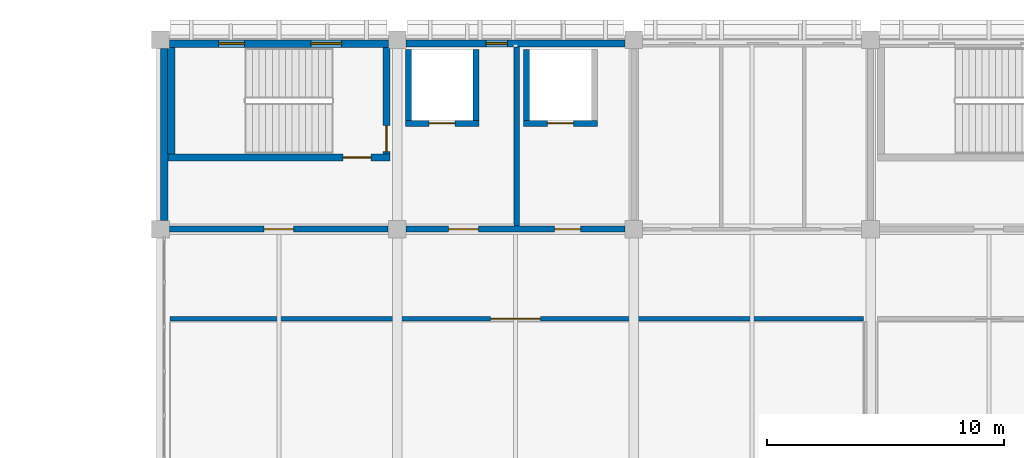
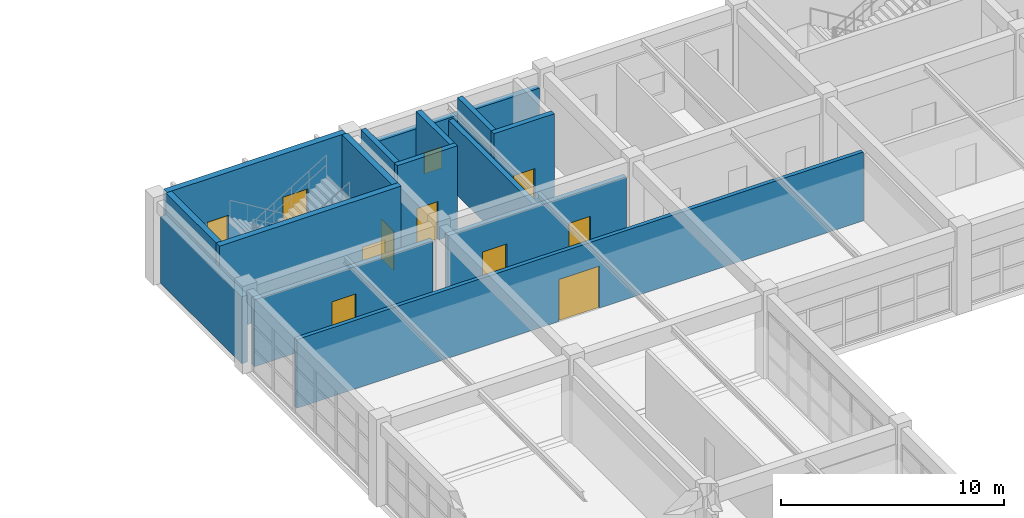
# One storey, part 93 of 109: 15 walls, 8 doors, 3 windows, 11 openings.
"""IFC4 building model written with IfcOpenShell, lengths in metres."""

from ifc_helpers import new_model, si_unit, direction, frame, frame_2d, origin, place, context, subcontext, project, spatial, rectangle, extrude, material, layer, layer_set, type_object, element, fill, save


model = new_model("IFC4")

# Units and contexts
model_context = context("Model", 3, precision=1e-05, world=origin(), true_north=direction((0.0, 1.0)))
body_context = subcontext(model_context, "Body", "Model", "MODEL_VIEW")
ifc_project = project(units=[si_unit("LENGTHUNIT", "METRE"), si_unit("AREAUNIT", "SQUARE_METRE"), si_unit("VOLUMEUNIT", "CUBIC_METRE"), si_unit("PLANEANGLEUNIT", "RADIAN"), si_unit("MASSUNIT", "GRAM", prefix="KILO")], contexts=[model_context])

# Site, building, storey
site_placement = place(None, origin())
site = spatial("IfcSite", under=ifc_project, at=site_placement, CompositionType="ELEMENT")
building_placement = place(site_placement, origin())
building = spatial("IfcBuilding", under=site, at=building_placement, Name="Kivolera Central Railway Station", CompositionType="ELEMENT")
storey_placement = place(building_placement, frame((0.0, 0.0, 9.60009765625)))
storey = spatial("IfcBuildingStorey", under=building, at=storey_placement, Name="L02", CompositionType="ELEMENT", Elevation=9.60009765625)

# Wall, opening, door
ifc_material_1 = material(Name="Swahili coral limestone", Category="masonry")
ifc_layer_1 = layer(ifc_material_1, 0.199951171875, Name="Swahili coral limestone")
ifc_layer_set_1 = layer_set([ifc_layer_1], Name="Swahili coral limestone")
wall_type_1 = type_object("IfcWallType", Name="WL-COR-200", PredefinedType="PARTITIONING", material=ifc_layer_set_1)
wall_1_placement = place(storey_placement, frame((118.39990234375, 122.219970703125, 0.0), z_axis=(0.0, 0.0, 1.0), x_axis=(1.0, 0.0, 0.0)))
wall_1 = element("IfcWall", 1, at=wall_1_placement, inside=storey, type_object=wall_type_1, Name="L02 Harbour Breeze Station Dining Hall Corridor Wall", PredefinedType="PARTITIONING", context=body_context, shape_type="SweptSolid", body=[
    extrude(rectangle(XDim=29.300048828125, YDim=0.199951171875, at=frame_2d((14.64990234375, 0.0))), origin(), (0.0, 0.0, 1.0), 3.7578125),
])
opening_1_placement = place(wall_1_placement, frame((13.550048828125, 0.0, 0.0)))
opening_1 = element("IfcOpeningElement", 2, at=opening_1_placement, cuts=wall_1, Name="Opening D-DB-07", PredefinedType="OPENING", context=body_context, shape_type="SweptSolid", body=[
    extrude(rectangle(XDim=2.10009765625, YDim=2.300048828125, at=frame_2d((1.050048828125, 1.14990234375))), frame((0.0, 0.10986328125, 0.0), z_axis=(0.0, -1.0, 0.0), x_axis=(1.0, 0.0, 0.0)), (0.0, 0.0, 1.0), 0.219970703125),
])
ifc_material_2 = material(Name="Anodised aluminium", Category="aluminium")
door_type_1 = type_object("IfcDoorType", Name="DR-D-DB-07", OperationType="NOTDEFINED", PredefinedType="DOOR", material=ifc_material_2)
door_1_placement = place(opening_1_placement, origin())
door_1 = element("IfcDoor", 3, at=door_1_placement, inside=storey, type_object=door_type_1, Name="L02 Harbour Breeze Station Dining Hall Door", OperationType="DOUBLE_DOOR_SINGLE_SWING", OverallHeight=2.300048828125, OverallWidth=2.10009765625, PredefinedType="DOOR", context=body_context, shape_type="SweptSolid", body=[
    extrude(rectangle(XDim=2.10009765625, YDim=2.300048828125, at=frame_2d((1.050048828125, 1.14990234375))), frame((0.0, 0.02490234375, 0.0), z_axis=(0.0, -1.0, 0.0), x_axis=(1.0, 0.0, 0.0)), (0.0, 0.0, 1.0), 0.050048828125),
])
fill(opening_1, door_1)

ifc_material_3 = material(Name="Concrete C40/50", Category="concrete")
ifc_layer_2 = layer(ifc_material_3, 0.300048828125, Name="Concrete C40/50")
ifc_layer_set_2 = layer_set([ifc_layer_2], Name="Concrete C40/50")
wall_type_2 = type_object("IfcWallType", Name="WL-CORE-300", PredefinedType="SHEAR", material=ifc_layer_set_2)
wall_2_placement = place(storey_placement, frame((127.699951171875, 129.030029296875, 0.0), z_axis=(0.0, 0.0, 1.0), x_axis=(-1.0, 0.0, 0.0)))
wall_2 = element("IfcWall", 4, at=wall_2_placement, inside=storey, type_object=wall_type_2, Name="L02 ST1 Core Right Shear Wall", PredefinedType="SHEAR", context=body_context, shape_type="SweptSolid", body=[
    extrude(rectangle(XDim=9.39990234375, YDim=0.300048828125, at=frame_2d((4.699951171875, 0.0))), origin(), (0.0, 0.0, 1.0), 4.7998046875),
])
opening_2_placement = place(wall_2_placement, frame((0.800048828125, 0.0, 0.0)))
opening_2 = element("IfcOpeningElement", 5, at=opening_2_placement, cuts=wall_2, Name="Opening D-STAIR-1200", PredefinedType="OPENING", context=body_context, shape_type="SweptSolid", body=[
    extrude(rectangle(XDim=1.199951171875, YDim=2.14990234375, at=frame_2d((0.60009765625, 1.074951171875))), frame((0.0, 0.159912109375, 0.0), z_axis=(0.0, -1.0, 0.0), x_axis=(1.0, 0.0, 0.0)), (0.0, 0.0, 1.0), 0.320068359375),
])
ifc_material_4 = material(Name="Hardwood mvule timber", Category="wood")
door_type_2 = type_object("IfcDoorType", Name="DR-D-STAIR-1200", OperationType="NOTDEFINED", PredefinedType="DOOR", material=ifc_material_4)
door_2_placement = place(opening_2_placement, origin())
door_2 = element("IfcDoor", 6, at=door_2_placement, inside=storey, type_object=door_type_2, Name="L02 ST1 Vestibule Fire Door", OperationType="SINGLE_SWING_LEFT", OverallHeight=2.14990234375, OverallWidth=1.199951171875, PredefinedType="DOOR", context=body_context, shape_type="SweptSolid", body=[
    extrude(rectangle(XDim=1.199951171875, YDim=2.14990234375, at=frame_2d((0.60009765625, 1.074951171875))), frame((0.0, 0.02490234375, 0.0), z_axis=(0.0, -1.0, 0.0), x_axis=(1.0, 0.0, 0.0)), (0.0, 0.0, 1.0), 0.050048828125),
])
fill(opening_2, door_2)

wall_3_placement = place(storey_placement, frame((127.550048828125, 133.679931640625, 0.0), z_axis=(0.0, 0.0, 1.0), x_axis=(0.0, -1.0, 0.0)))
wall_3 = element("IfcWall", 7, at=wall_3_placement, inside=storey, type_object=wall_type_2, Name="L02 ST1 Core Near Shear Wall", PredefinedType="SHEAR", context=body_context, shape_type="SweptSolid", body=[
    extrude(rectangle(XDim=4.5, YDim=0.300048828125, at=frame_2d((2.25, 0.0))), origin(), (0.0, 0.0, 1.0), 4.7998046875),
])
opening_3_placement = place(wall_3_placement, frame((3.300048828125, 0.0, 0.0)))
opening_3 = element("IfcOpeningElement", 8, at=opening_3_placement, cuts=wall_3, Name="Opening D-FFL-1100", PredefinedType="OPENING", context=body_context, shape_type="SweptSolid", body=[
    extrude(rectangle(XDim=1.10009765625, YDim=2.14990234375, at=frame_2d((0.550048828125, 1.074951171875))), frame((0.0, 0.159912109375, 0.0), z_axis=(0.0, -1.0, 0.0), x_axis=(1.0, 0.0, 0.0)), (0.0, 0.0, 1.0), 0.320068359375),
])
door_type_3 = type_object("IfcDoorType", Name="DR-D-FFL-1100", OperationType="NOTDEFINED", PredefinedType="DOOR", material=ifc_material_4)
door_3_placement = place(opening_3_placement, origin())
door_3 = element("IfcDoor", 9, at=door_3_placement, inside=storey, type_object=door_type_3, Name="L02 Firefighting Lobby to ST1 Fire Door", OperationType="SINGLE_SWING_RIGHT", OverallHeight=2.14990234375, OverallWidth=1.10009765625, PredefinedType="DOOR", context=body_context, shape_type="SweptSolid", body=[
    extrude(rectangle(XDim=1.10009765625, YDim=2.14990234375, at=frame_2d((0.550048828125, 1.074951171875))), frame((0.0, 0.02490234375, 0.0), z_axis=(0.0, -1.0, 0.0), x_axis=(1.0, 0.0, 0.0)), (0.0, 0.0, 1.0), 0.050048828125),
])
fill(opening_3, door_3)

# Wall
wall_4_placement = place(storey_placement, frame((118.449951171875, 129.179931640625, 0.0), z_axis=(0.0, 0.0, 1.0), x_axis=(0.0, 1.0, 0.0)))
element("IfcWall", 10, at=wall_4_placement, inside=storey, type_object=wall_type_2, Name="L02 ST1 Core Far Shear Wall", PredefinedType="SHEAR", context=body_context, shape_type="SweptSolid", body=[
    extrude(rectangle(XDim=4.5, YDim=0.300048828125, at=frame_2d((2.25, 0.0))), origin(), (0.0, 0.0, 1.0), 4.7998046875),
])

# Wall, openings, windows
ifc_layer_3 = layer(ifc_material_3, 0.320068359375, Name="Concrete C40/50")
ifc_layer_set_3 = layer_set([ifc_layer_3], Name="Concrete C40/50")
wall_type_3 = type_object("IfcWallType", Name="WL-CORE-EXT-320", PredefinedType="SHEAR", material=ifc_layer_set_3)
wall_5_placement = place(storey_placement, frame((118.3701171875, 133.840087890625, 0.0), z_axis=(0.0, 0.0, 1.0), x_axis=(1.0, 0.0, 0.0)))
wall_5 = element("IfcWall", 11, at=wall_5_placement, inside=storey, type_object=wall_type_3, Name="L02 North Street Facade Wall Bay 1", PredefinedType="SHEAR", context=body_context, shape_type="SweptSolid", body=[
    extrude(rectangle(XDim=9.259765625, YDim=0.320068359375, at=frame_2d((4.6298828125, 0.0))), origin(), (0.0, 0.0, 1.0), 4.7998046875),
])
opening_4_placement = place(wall_5_placement, frame((2.080078125, 0.0, 1.050048828125)))
opening_4 = element("IfcOpeningElement", 12, at=opening_4_placement, cuts=wall_5, Name="Opening WN-14", PredefinedType="OPENING", context=body_context, shape_type="SweptSolid", body=[
    extrude(rectangle(XDim=1.10009765625, YDim=1.39990234375, at=frame_2d((0.550048828125, 0.699951171875))), frame((0.0, 0.169921875, 0.0), z_axis=(0.0, -1.0, 0.0), x_axis=(1.0, 0.0, 0.0)), (0.0, 0.0, 1.0), 0.340087890625),
])
opening_5_placement = place(wall_5_placement, frame((5.97998046875, 0.0, 1.050048828125)))
opening_5 = element("IfcOpeningElement", 13, at=opening_5_placement, cuts=wall_5, Name="Opening WN-15", PredefinedType="OPENING", context=body_context, shape_type="SweptSolid", body=[
    extrude(rectangle(XDim=1.300048828125, YDim=1.39990234375, at=frame_2d((0.64990234375, 0.699951171875))), frame((0.0, 0.169921875, 0.0), z_axis=(0.0, -1.0, 0.0), x_axis=(1.0, 0.0, 0.0)), (0.0, 0.0, 1.0), 0.340087890625),
])
ifc_material_5 = material(Name="Double low-E laminated glass", Category="glass")
window_type_1 = type_object("IfcWindowType", Name="WIN-WN-14", PartitioningType="SINGLE_PANEL", PredefinedType="WINDOW", material=ifc_material_5)
window_1_placement = place(opening_4_placement, origin())
window_1 = element("IfcWindow", 14, at=window_1_placement, inside=storey, type_object=window_type_1, Name="L02 North Street Window Bay 1.1", OverallHeight=1.39990234375, OverallWidth=1.10009765625, PartitioningType="SINGLE_PANEL", PredefinedType="WINDOW", context=body_context, shape_type="SweptSolid", body=[
    extrude(rectangle(XDim=1.10009765625, YDim=1.39990234375, at=frame_2d((0.550048828125, 0.699951171875))), frame((0.0, 0.030029296875, 0.0), z_axis=(0.0, -1.0, 0.0), x_axis=(1.0, 0.0, 0.0)), (0.0, 0.0, 1.0), 0.06005859375),
])
fill(opening_4, window_1)
window_type_2 = type_object("IfcWindowType", Name="WIN-WN-15", PartitioningType="SINGLE_PANEL", PredefinedType="WINDOW", material=ifc_material_5)
window_2_placement = place(opening_5_placement, origin())
window_2 = element("IfcWindow", 15, at=window_2_placement, inside=storey, type_object=window_type_2, Name="L02 North Street Window Bay 1.2", OverallHeight=1.39990234375, OverallWidth=1.300048828125, PartitioningType="SINGLE_PANEL", PredefinedType="WINDOW", context=body_context, shape_type="SweptSolid", body=[
    extrude(rectangle(XDim=1.300048828125, YDim=1.39990234375, at=frame_2d((0.64990234375, 0.699951171875))), frame((0.0, 0.030029296875, 0.0), z_axis=(0.0, -1.0, 0.0), x_axis=(1.0, 0.0, 0.0)), (0.0, 0.0, 1.0), 0.06005859375),
])
fill(opening_5, window_2)

# Wall, opening, window
ifc_layer_4 = layer(ifc_material_1, 0.304931640625, Name="Swahili coral limestone")
ifc_layer_set_4 = layer_set([ifc_layer_4], Name="Swahili coral limestone")
wall_type_4 = type_object("IfcWallType", Name="WL-EXT-CORAL-305", PredefinedType="SOLIDWALL", material=ifc_layer_set_4)
wall_6_placement = place(storey_placement, frame((128.3701171875, 133.846923828125, 0.0), z_axis=(0.0, 0.0, 1.0), x_axis=(1.0, 0.0, 0.0)))
wall_6 = element("IfcWall", 16, at=wall_6_placement, inside=storey, type_object=wall_type_4, Name="L02 North Street Facade Wall Bay 2", PredefinedType="SOLIDWALL", context=body_context, shape_type="SweptSolid", body=[
    extrude(rectangle(XDim=9.259765625, YDim=0.304931640625, at=frame_2d((4.6298828125, 0.0))), origin(), (0.0, 0.0, 1.0), 3.7578125),
])
opening_6_placement = place(wall_6_placement, frame((3.3798828125, 0.0, 1.050048828125)))
opening_6 = element("IfcOpeningElement", 17, at=opening_6_placement, cuts=wall_6, Name="Opening WN-01", PredefinedType="OPENING", context=body_context, shape_type="SweptSolid", body=[
    extrude(rectangle(XDim=0.89990234375, YDim=1.14990234375, at=frame_2d((0.449951171875, 0.574951171875))), frame((0.0, 0.162353515625, 0.0), z_axis=(0.0, -1.0, 0.0), x_axis=(1.0, 0.0, 0.0)), (0.0, 0.0, 1.0), 0.324951171875),
])
window_type_3 = type_object("IfcWindowType", Name="WIN-WN-01", PartitioningType="SINGLE_PANEL", PredefinedType="WINDOW", material=ifc_material_5)
window_3_placement = place(opening_6_placement, origin())
window_3 = element("IfcWindow", 18, at=window_3_placement, inside=storey, type_object=window_type_3, Name="L02 North Street Window Bay 2.1", OverallHeight=1.14990234375, OverallWidth=0.89990234375, PartitioningType="SINGLE_PANEL", PredefinedType="WINDOW", context=body_context, shape_type="SweptSolid", body=[
    extrude(rectangle(XDim=0.89990234375, YDim=1.14990234375, at=frame_2d((0.449951171875, 0.574951171875))), frame((0.0, 0.030029296875, 0.0), z_axis=(0.0, -1.0, 0.0), x_axis=(1.0, 0.0, 0.0)), (0.0, 0.0, 1.0), 0.06005859375),
])
fill(opening_6, window_3)

# Wall
wall_7_placement = place(storey_placement, frame((118.153076171875, 126.3701171875, 0.0), z_axis=(0.0, 0.0, 1.0), x_axis=(0.0, 1.0, 0.0)))
element("IfcWall", 19, at=wall_7_placement, inside=storey, type_object=wall_type_4, Name="L02 West Facade Wall L-M", PredefinedType="SOLIDWALL", context=body_context, shape_type="SweptSolid", body=[
    extrude(rectangle(XDim=7.259765625, YDim=0.304931640625, at=frame_2d((3.6298828125, 0.0))), origin(), (0.0, 0.0, 1.0), 3.657958984375),
])

# Wall, opening, door
ifc_layer_5 = layer(ifc_material_3, 0.25, Name="Concrete C40/50")
ifc_layer_set_5 = layer_set([ifc_layer_5], Name="Concrete C40/50")
wall_type_5 = type_object("IfcWallType", Name="WL-FFL-250", PredefinedType="PARTITIONING", material=ifc_layer_set_5)
wall_8_placement = place(storey_placement, frame((118.3798828125, 126.0, 0.0), z_axis=(0.0, 0.0, 1.0), x_axis=(1.0, 0.0, 0.0)))
wall_8 = element("IfcWall", 20, at=wall_8_placement, inside=storey, type_object=wall_type_5, Name="L02 North Core Corridor Wall 118", PredefinedType="PARTITIONING", context=body_context, shape_type="SweptSolid", body=[
    extrude(rectangle(XDim=9.240234375, YDim=0.25, at=frame_2d((4.6201171875, 0.0))), origin(), (0.0, 0.0, 1.0), 3.657958984375),
])
opening_7_placement = place(wall_8_placement, frame((3.9951171875, 0.0, 0.0)))
opening_7 = element("IfcOpeningElement", 21, at=opening_7_placement, cuts=wall_8, Name="Opening D-FFL-1250", PredefinedType="OPENING", context=body_context, shape_type="SweptSolid", body=[
    extrude(rectangle(XDim=1.25, YDim=2.14990234375, at=frame_2d((0.625, 1.074951171875))), frame((0.0, 0.135009765625, 0.0), z_axis=(0.0, -1.0, 0.0), x_axis=(1.0, 0.0, 0.0)), (0.0, 0.0, 1.0), 0.27001953125),
])
door_type_4 = type_object("IfcDoorType", Name="DR-D-FFL-1250", OperationType="NOTDEFINED", PredefinedType="DOOR", material=ifc_material_4)
door_4_placement = place(opening_7_placement, origin())
door_4 = element("IfcDoor", 22, at=door_4_placement, inside=storey, type_object=door_type_4, Name="L02 ST1 Vestibule Corridor Door", OperationType="SINGLE_SWING_RIGHT", OverallHeight=2.14990234375, OverallWidth=1.25, PredefinedType="DOOR", context=body_context, shape_type="SweptSolid", body=[
    extrude(rectangle(XDim=1.25, YDim=2.14990234375, at=frame_2d((0.625, 1.074951171875))), frame((0.0, 0.02490234375, 0.0), z_axis=(0.0, -1.0, 0.0), x_axis=(1.0, 0.0, 0.0)), (0.0, 0.0, 1.0), 0.050048828125),
])
fill(opening_7, door_4)

# Wall, openings, doors
wall_9_placement = place(storey_placement, frame((128.3798828125, 126.0, 0.0), z_axis=(0.0, 0.0, 1.0), x_axis=(1.0, 0.0, 0.0)))
wall_9 = element("IfcWall", 23, at=wall_9_placement, inside=storey, type_object=wall_type_5, Name="L02 North Core Corridor Wall 128", PredefinedType="PARTITIONING", context=body_context, shape_type="SweptSolid", body=[
    extrude(rectangle(XDim=9.240234375, YDim=0.25, at=frame_2d((4.6201171875, 0.0))), origin(), (0.0, 0.0, 1.0), 3.657958984375),
])
opening_8_placement = place(wall_9_placement, frame((1.794921875, 0.0, 0.0)))
opening_8 = element("IfcOpeningElement", 24, at=opening_8_placement, cuts=wall_9, Name="Opening D-FFL-1250", PredefinedType="OPENING", context=body_context, shape_type="SweptSolid", body=[
    extrude(rectangle(XDim=1.25, YDim=2.14990234375, at=frame_2d((0.625, 1.074951171875))), frame((0.0, 0.135009765625, 0.0), z_axis=(0.0, -1.0, 0.0), x_axis=(1.0, 0.0, 0.0)), (0.0, 0.0, 1.0), 0.27001953125),
])
opening_9_placement = place(wall_9_placement, frame((6.27001953125, 0.0, 0.0)))
opening_9 = element("IfcOpeningElement", 25, at=opening_9_placement, cuts=wall_9, Name="Opening D-FFL-1100", PredefinedType="OPENING", context=body_context, shape_type="SweptSolid", body=[
    extrude(rectangle(XDim=1.10009765625, YDim=2.14990234375, at=frame_2d((0.550048828125, 1.074951171875))), frame((0.0, 0.135009765625, 0.0), z_axis=(0.0, -1.0, 0.0), x_axis=(1.0, 0.0, 0.0)), (0.0, 0.0, 1.0), 0.27001953125),
])
door_5_placement = place(opening_9_placement, origin())
door_5 = element("IfcDoor", 26, at=door_5_placement, inside=storey, type_object=door_type_3, Name="L02 PL1 Lift Lobby Door", OperationType="SINGLE_SWING_RIGHT", OverallHeight=2.14990234375, OverallWidth=1.10009765625, PredefinedType="DOOR", context=body_context, shape_type="SweptSolid", body=[
    extrude(rectangle(XDim=1.10009765625, YDim=2.14990234375, at=frame_2d((0.550048828125, 1.074951171875))), frame((0.0, 0.02490234375, 0.0), z_axis=(0.0, -1.0, 0.0), x_axis=(1.0, 0.0, 0.0)), (0.0, 0.0, 1.0), 0.050048828125),
])
fill(opening_9, door_5)
door_6_placement = place(opening_8_placement, origin())
door_6 = element("IfcDoor", 27, at=door_6_placement, inside=storey, type_object=door_type_4, Name="L02 FL1 Firefighting Lobby Corridor Fire Door", OperationType="SINGLE_SWING_LEFT", OverallHeight=2.14990234375, OverallWidth=1.25, PredefinedType="DOOR", context=body_context, shape_type="SweptSolid", body=[
    extrude(rectangle(XDim=1.25, YDim=2.14990234375, at=frame_2d((0.625, 1.074951171875))), frame((0.0, 0.02490234375, 0.0), z_axis=(0.0, -1.0, 0.0), x_axis=(1.0, 0.0, 0.0)), (0.0, 0.0, 1.0), 0.050048828125),
])
fill(opening_8, door_6)

# Wall
wall_10_placement = place(storey_placement, frame((133.050048828125, 126.125, 0.0), z_axis=(0.0, 0.0, 1.0), x_axis=(0.0, 1.0, 0.0)))
element("IfcWall", 28, at=wall_10_placement, inside=storey, type_object=wall_type_5, Name="L02 North Core Partition FFL1-DIV", PredefinedType="PARTITIONING", context=body_context, shape_type="SweptSolid", body=[
    extrude(rectangle(XDim=7.570068359375, YDim=0.25, at=frame_2d((3.78515625, 0.0))), origin(), (0.0, 0.0, 1.0), 3.657958984375),
])

# Wall, opening, door
ifc_layer_6 = layer(ifc_material_3, 0.260009765625, Name="Concrete C40/50")
ifc_layer_set_6 = layer_set([ifc_layer_6], Name="Concrete C40/50")
wall_type_6 = type_object("IfcWallType", Name="WL-SHAFT-260", PredefinedType="SHEAR", material=ifc_layer_set_6)
wall_11_placement = place(storey_placement, frame((128.340087890625, 130.469970703125, 0.0), z_axis=(0.0, 0.0, 1.0), x_axis=(1.0, 0.0, 0.0)))
wall_11 = element("IfcWall", 29, at=wall_11_placement, inside=storey, type_object=wall_type_6, Name="L02 Lift FL1 Front Shaft Wall", PredefinedType="SHEAR", context=body_context, shape_type="SweptSolid", body=[
    extrude(rectangle(XDim=3.119873046875, YDim=0.260009765625, at=frame_2d((1.56005859375, 0.0))), origin(), (0.0, 0.0, 1.0), 4.7998046875),
])
opening_10_placement = place(wall_11_placement, frame((1.010009765625, 0.0, 0.0)))
opening_10 = element("IfcOpeningElement", 30, at=opening_10_placement, cuts=wall_11, Name="Opening LD-FFL-1100", PredefinedType="OPENING", context=body_context, shape_type="SweptSolid", body=[
    extrude(rectangle(XDim=1.10009765625, YDim=2.10009765625, at=frame_2d((0.550048828125, 1.050048828125))), frame((0.0, 0.139892578125, 0.0), z_axis=(0.0, -1.0, 0.0), x_axis=(1.0, 0.0, 0.0)), (0.0, 0.0, 1.0), 0.280029296875),
])
door_type_5 = type_object("IfcDoorType", Name="DR-LD-FFL-1100", OperationType="NOTDEFINED", PredefinedType="DOOR", material=ifc_material_2)
door_7_placement = place(opening_10_placement, origin())
door_7 = element("IfcDoor", 31, at=door_7_placement, inside=storey, type_object=door_type_5, Name="L02 Lift FL1 Sliding Landing Door", OperationType="SLIDING_TO_LEFT", OverallHeight=2.10009765625, OverallWidth=1.10009765625, PredefinedType="DOOR", context=body_context, shape_type="SweptSolid", body=[
    extrude(rectangle(XDim=1.10009765625, YDim=2.10009765625, at=frame_2d((0.550048828125, 1.050048828125))), frame((0.0, 0.02490234375, 0.0), z_axis=(0.0, -1.0, 0.0), x_axis=(1.0, 0.0, 0.0)), (0.0, 0.0, 1.0), 0.050048828125),
])
fill(opening_10, door_7)

# Walls
for number, where, z_axis, x_axis, name in (
    (32, (128.469970703125, 130.60009765625, 0.0), (0.0, 0.0, 1.0), (0.0, 1.0, 0.0), "L02 Lift FL1 West Shaft Wall"),
    (33, (131.330078125, 130.60009765625, 0.0), (0.0, 0.0, 1.0), (0.0, 1.0, 0.0), "L02 Lift FL1 East Shaft Wall"),
):
    element("IfcWall", number, at=place(storey_placement, frame(where, z_axis=z_axis, x_axis=x_axis)), inside=storey, type_object=wall_type_6, Name=name, PredefinedType="SHEAR", context=body_context, shape_type="SweptSolid", body=[
        extrude(rectangle(XDim=3.0, YDim=0.260009765625, at=frame_2d((1.5, 0.0))), origin(), (0.0, 0.0, 1.0), 4.7998046875),
    ])

# Wall, opening, door
wall_12_placement = place(storey_placement, frame((133.340087890625, 130.469970703125, 0.0), z_axis=(0.0, 0.0, 1.0), x_axis=(1.0, 0.0, 0.0)))
wall_12 = element("IfcWall", 34, at=wall_12_placement, inside=storey, type_object=wall_type_6, Name="L02 Lift PL1 Front Shaft Wall", PredefinedType="SHEAR", context=body_context, shape_type="SweptSolid", body=[
    extrude(rectangle(XDim=3.119873046875, YDim=0.260009765625, at=frame_2d((1.56005859375, 0.0))), origin(), (0.0, 0.0, 1.0), 4.7998046875),
])
opening_11_placement = place(wall_12_placement, frame((1.010009765625, 0.0, 0.0)))
opening_11 = element("IfcOpeningElement", 35, at=opening_11_placement, cuts=wall_12, Name="Opening LD-PAX-1100", PredefinedType="OPENING", context=body_context, shape_type="SweptSolid", body=[
    extrude(rectangle(XDim=1.10009765625, YDim=2.14990234375, at=frame_2d((0.550048828125, 1.074951171875))), frame((0.0, 0.139892578125, 0.0), z_axis=(0.0, -1.0, 0.0), x_axis=(1.0, 0.0, 0.0)), (0.0, 0.0, 1.0), 0.280029296875),
])
door_type_6 = type_object("IfcDoorType", Name="DR-LD-PAX-1100", OperationType="NOTDEFINED", PredefinedType="DOOR", material=ifc_material_2)
door_8_placement = place(opening_11_placement, origin())
door_8 = element("IfcDoor", 36, at=door_8_placement, inside=storey, type_object=door_type_6, Name="L02 Lift PL1 Sliding Landing Door", OperationType="SLIDING_TO_LEFT", OverallHeight=2.14990234375, OverallWidth=1.10009765625, PredefinedType="DOOR", context=body_context, shape_type="SweptSolid", body=[
    extrude(rectangle(XDim=1.10009765625, YDim=2.14990234375, at=frame_2d((0.550048828125, 1.074951171875))), frame((0.0, 0.02490234375, 0.0), z_axis=(0.0, -1.0, 0.0), x_axis=(1.0, 0.0, 0.0)), (0.0, 0.0, 1.0), 0.050048828125),
])
fill(opening_11, door_8)

# Wall
wall_13_placement = place(storey_placement, frame((133.469970703125, 130.60009765625, 0.0), z_axis=(0.0, 0.0, 1.0), x_axis=(0.0, 1.0, 0.0)))
element("IfcWall", 37, at=wall_13_placement, inside=storey, type_object=wall_type_6, Name="L02 Lift PL1 West Shaft Wall", PredefinedType="SHEAR", context=body_context, shape_type="SweptSolid", body=[
    extrude(rectangle(XDim=3.0, YDim=0.260009765625, at=frame_2d((1.5, 0.0))), origin(), (0.0, 0.0, 1.0), 4.7998046875),
])

save(model, "model.ifc")
